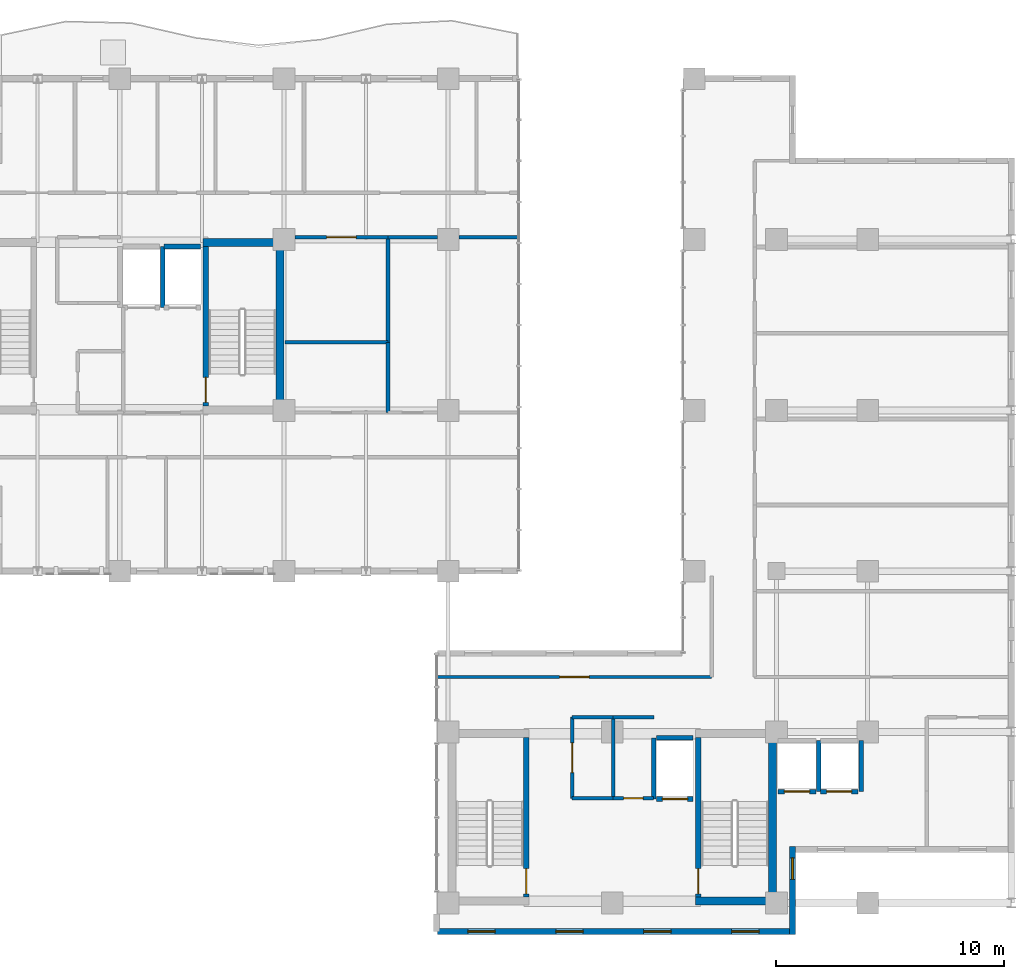
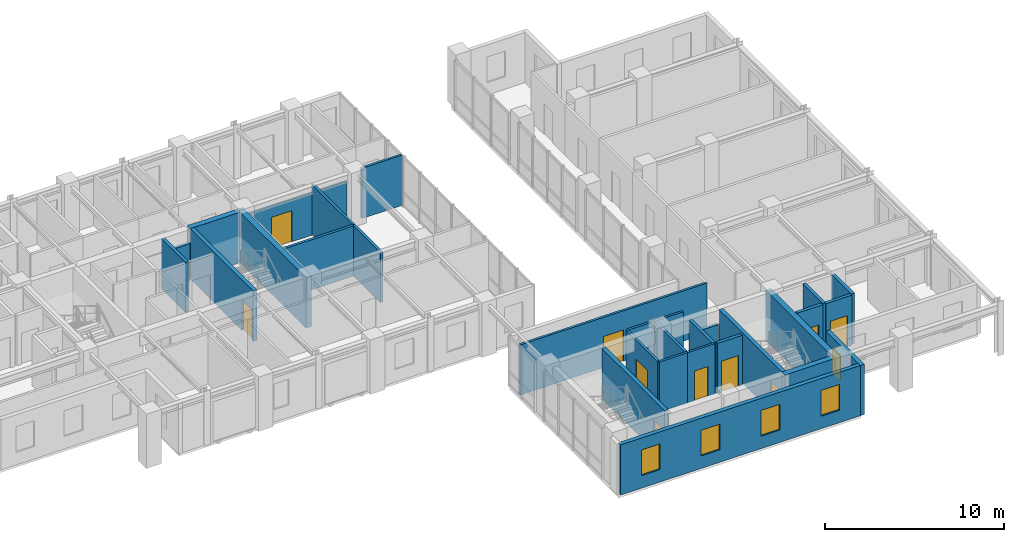
# One storey, part 18 of 24: 31 walls, 10 doors, 5 windows, 15 openings.
"""IFC4 building model written with IfcOpenShell, lengths in metres."""

from ifc_helpers import new_model, si_unit, direction, frame, frame_2d, origin, place, context, subcontext, project, spatial, rectangle, extrude, material, layer, layer_set, type_object, element, fill, save


model = new_model("IFC4")

# Units and contexts
model_context = context("Model", 3, precision=1e-05, world=origin(), true_north=direction((0.0, 1.0)))
body_context = subcontext(model_context, "Body", "Model", "MODEL_VIEW")
ifc_project = project(units=[si_unit("LENGTHUNIT", "METRE"), si_unit("AREAUNIT", "SQUARE_METRE"), si_unit("VOLUMEUNIT", "CUBIC_METRE"), si_unit("PLANEANGLEUNIT", "RADIAN"), si_unit("MASSUNIT", "GRAM", prefix="KILO")], contexts=[model_context])

# Site, building, storey
site_placement = place(None, origin())
site = spatial("IfcSite", under=ifc_project, at=site_placement, CompositionType="ELEMENT")
building_placement = place(site_placement, origin())
building = spatial("IfcBuilding", under=site, at=building_placement, Name="Kaliganga Portal Commons", CompositionType="ELEMENT")
storey_placement = place(building_placement, frame((0.0, 0.0, 242.5)))
storey = spatial("IfcBuildingStorey", under=building, at=storey_placement, Name="L62", CompositionType="ELEMENT", Elevation=242.5)

# Walls
ifc_material_1 = material(Name="Concrete C50/60", Category="concrete")
ifc_layer_1 = layer(ifc_material_1, 0.35009765625)
ifc_layer_set_1 = layer_set([ifc_layer_1], Name="Concrete C50/60")
wall_type_1 = type_object("IfcWallType", Name="WL-CORE-350", PredefinedType="SHEAR", material=ifc_layer_set_1)
wall_1_placement = place(storey_placement, frame((28.625, 28.5, 0.0), z_axis=(0.0, 0.0, 1.0), x_axis=(0.0, 1.0, 0.0)))
element("IfcWall", 1, at=wall_1_placement, inside=storey, type_object=wall_type_1, Name="Core A East Shear Wall L62", PredefinedType="SHEAR", context=body_context, shape_type="SweptSolid", body=[
    extrude(rectangle(XDim=7.699951171875, YDim=0.35009765625, at=frame_2d((3.85009765625, 0.0))), origin(), (0.0, 0.0, 1.0), 3.43994140625),
])
wall_2_placement = place(storey_placement, frame((25.25, 36.02490234375, 0.0), z_axis=(0.0, 0.0, 1.0), x_axis=(1.0, 0.0, 0.0)))
element("IfcWall", 2, at=wall_2_placement, inside=storey, type_object=wall_type_1, Name="Core A N-East Shear Wall L62", PredefinedType="SHEAR", context=body_context, shape_type="SweptSolid", body=[
    extrude(rectangle(XDim=3.199951171875, YDim=0.35009765625, at=frame_2d((1.60009765625, 0.0))), origin(), (0.0, 0.0, 1.0), 3.43994140625),
])
wall_3_placement = place(storey_placement, frame((50.22509765625, 6.949951171875, 0.0), z_axis=(0.0, 0.0, 1.0), x_axis=(0.0, 1.0, 0.0)))
element("IfcWall", 3, at=wall_3_placement, inside=storey, type_object=wall_type_1, Name="Core B East Shear Wall L62", PredefinedType="SHEAR", context=body_context, shape_type="SweptSolid", body=[
    extrude(rectangle(XDim=7.699951171875, YDim=0.35009765625, at=frame_2d((3.85009765625, 0.0))), origin(), (0.0, 0.0, 1.0), 3.43994140625),
])
wall_4_placement = place(storey_placement, frame((46.85009765625, 7.125, 0.0), z_axis=(0.0, 0.0, 1.0), x_axis=(1.0, 0.0, 0.0)))
element("IfcWall", 4, at=wall_4_placement, inside=storey, type_object=wall_type_1, Name="Core B S-East Shear Wall L62", PredefinedType="SHEAR", context=body_context, shape_type="SweptSolid", body=[
    extrude(rectangle(XDim=3.199951171875, YDim=0.35009765625, at=frame_2d((1.60009765625, 0.0))), origin(), (0.0, 0.0, 1.0), 3.43994140625),
])

# Wall, openings, windows
ifc_material_2 = material(Name="Insulated Aluminium-Clad Spandrel Assembly", Category="aluminium")
ifc_layer_2 = layer(ifc_material_2, 0.260009765625)
ifc_layer_set_2 = layer_set([ifc_layer_2], Name="Insulated Aluminium-Clad Spandrel Assembly")
wall_type_2 = type_object("IfcWallType", Name="WL-EXT-SPAND-260", PredefinedType="STANDARD", material=ifc_layer_set_2)
wall_5_placement = place(storey_placement, frame((50.965087890625, 5.800048828125, 0.0), z_axis=(0.0, 0.0, 1.0), x_axis=(-1.0, 0.0, 0.0)))
wall_5 = element("IfcWall", 5, at=wall_5_placement, inside=storey, type_object=wall_type_2, Name="Exterior Envelope Wall L62 P2-E00-S1", PredefinedType="STANDARD", context=body_context, shape_type="SweptSolid", body=[
    extrude(rectangle(XDim=15.427978515625, YDim=0.260009765625, at=frame_2d((7.7138671875, 0.0))), origin(), (0.0, 0.0, 1.0), 3.419921875),
])
opening_1_placement = place(wall_5_placement, frame((1.32861328125, 0.0, 0.85009765625)))
opening_1 = element("IfcOpeningElement", 6, at=opening_1_placement, cuts=wall_5, Name="Opening W-03", PredefinedType="OPENING", context=body_context, shape_type="SweptSolid", body=[
    extrude(rectangle(XDim=1.199951171875, YDim=1.75, at=frame_2d((0.60009765625, 0.875))), frame((0.0, 0.14013671875, 0.0), z_axis=(0.0, -1.0, 0.0), x_axis=(1.0, 0.0, 0.0)), (0.0, 0.0, 1.0), 0.280029296875),
])
opening_2_placement = place(wall_5_placement, frame((5.185546875, 0.0, 0.85009765625)))
opening_2 = element("IfcOpeningElement", 7, at=opening_2_placement, cuts=wall_5, Name="Opening W-03", PredefinedType="OPENING", context=body_context, shape_type="SweptSolid", body=[
    extrude(rectangle(XDim=1.199951171875, YDim=1.75, at=frame_2d((0.60009765625, 0.875))), frame((0.0, 0.14013671875, 0.0), z_axis=(0.0, -1.0, 0.0), x_axis=(1.0, 0.0, 0.0)), (0.0, 0.0, 1.0), 0.280029296875),
])
opening_3_placement = place(wall_5_placement, frame((9.04248046875, 0.0, 0.85009765625)))
opening_3 = element("IfcOpeningElement", 8, at=opening_3_placement, cuts=wall_5, Name="Opening W-03", PredefinedType="OPENING", context=body_context, shape_type="SweptSolid", body=[
    extrude(rectangle(XDim=1.199951171875, YDim=1.75, at=frame_2d((0.60009765625, 0.875))), frame((0.0, 0.14013671875, 0.0), z_axis=(0.0, -1.0, 0.0), x_axis=(1.0, 0.0, 0.0)), (0.0, 0.0, 1.0), 0.280029296875),
])
opening_4_placement = place(wall_5_placement, frame((12.8994140625, 0.0, 0.85009765625)))
opening_4 = element("IfcOpeningElement", 9, at=opening_4_placement, cuts=wall_5, Name="Opening W-03", PredefinedType="OPENING", context=body_context, shape_type="SweptSolid", body=[
    extrude(rectangle(XDim=1.199951171875, YDim=1.75, at=frame_2d((0.60009765625, 0.875))), frame((0.0, 0.14013671875, 0.0), z_axis=(0.0, -1.0, 0.0), x_axis=(1.0, 0.0, 0.0)), (0.0, 0.0, 1.0), 0.280029296875),
])
ifc_material_3 = material(Name="Thermally Broken Aluminium and Low-E Double Glazing", Category="aluminium")
window_type_1 = type_object("IfcWindowType", Name="WIN-STD-1200", PartitioningType="SINGLE_PANEL", PredefinedType="WINDOW", material=ifc_material_3)
window_1_placement = place(opening_1_placement, origin())
window_1 = element("IfcWindow", 10, at=window_1_placement, inside=storey, type_object=window_type_1, Name="Facade Window L62-P2E00S1-00", OverallHeight=1.75, OverallWidth=1.199951171875, PartitioningType="SINGLE_PANEL", PredefinedType="WINDOW", context=body_context, shape_type="SweptSolid", body=[
    extrude(rectangle(XDim=1.199951171875, YDim=1.75, at=frame_2d((0.60009765625, 0.875))), frame((0.0, 0.030029296875, 0.0), z_axis=(0.0, -1.0, 0.0), x_axis=(1.0, 0.0, 0.0)), (0.0, 0.0, 1.0), 0.06005859375),
])
fill(opening_1, window_1)
window_2_placement = place(opening_2_placement, origin())
window_2 = element("IfcWindow", 11, at=window_2_placement, inside=storey, type_object=window_type_1, Name="Facade Window L62-P2E00S1-01", OverallHeight=1.75, OverallWidth=1.199951171875, PartitioningType="SINGLE_PANEL", PredefinedType="WINDOW", context=body_context, shape_type="SweptSolid", body=[
    extrude(rectangle(XDim=1.199951171875, YDim=1.75, at=frame_2d((0.60009765625, 0.875))), frame((0.0, 0.030029296875, 0.0), z_axis=(0.0, -1.0, 0.0), x_axis=(1.0, 0.0, 0.0)), (0.0, 0.0, 1.0), 0.06005859375),
])
fill(opening_2, window_2)
window_3_placement = place(opening_3_placement, origin())
window_3 = element("IfcWindow", 12, at=window_3_placement, inside=storey, type_object=window_type_1, Name="Facade Window L62-P2E00S1-02", OverallHeight=1.75, OverallWidth=1.199951171875, PartitioningType="SINGLE_PANEL", PredefinedType="WINDOW", context=body_context, shape_type="SweptSolid", body=[
    extrude(rectangle(XDim=1.199951171875, YDim=1.75, at=frame_2d((0.60009765625, 0.875))), frame((0.0, 0.030029296875, 0.0), z_axis=(0.0, -1.0, 0.0), x_axis=(1.0, 0.0, 0.0)), (0.0, 0.0, 1.0), 0.06005859375),
])
fill(opening_3, window_3)
window_4_placement = place(opening_4_placement, origin())
window_4 = element("IfcWindow", 13, at=window_4_placement, inside=storey, type_object=window_type_1, Name="Facade Window L62-P2E00S1-03", OverallHeight=1.75, OverallWidth=1.199951171875, PartitioningType="SINGLE_PANEL", PredefinedType="WINDOW", context=body_context, shape_type="SweptSolid", body=[
    extrude(rectangle(XDim=1.199951171875, YDim=1.75, at=frame_2d((0.60009765625, 0.875))), frame((0.0, 0.030029296875, 0.0), z_axis=(0.0, -1.0, 0.0), x_axis=(1.0, 0.0, 0.0)), (0.0, 0.0, 1.0), 0.06005859375),
])
fill(opening_4, window_4)

# Wall, opening, window
wall_6_placement = place(storey_placement, frame((51.10009765625, 9.530029296875, 0.0), z_axis=(0.0, 0.0, 1.0), x_axis=(0.0, -1.0, 0.0)))
wall_6 = element("IfcWall", 14, at=wall_6_placement, inside=storey, type_object=wall_type_2, Name="Exterior Envelope Wall L62 P2-E01-S1", PredefinedType="STANDARD", context=body_context, shape_type="SweptSolid", body=[
    extrude(rectangle(XDim=3.860107421875, YDim=0.260009765625, at=frame_2d((1.93017578125, 0.0))), origin(), (0.0, 0.0, 1.0), 3.419921875),
])
opening_5_placement = place(wall_6_placement, frame((0.497802734375, 0.0, 0.85009765625)))
opening_5 = element("IfcOpeningElement", 15, at=opening_5_placement, cuts=wall_6, Name="Opening W-04", PredefinedType="OPENING", context=body_context, shape_type="SweptSolid", body=[
    extrude(rectangle(XDim=0.949951171875, YDim=1.75, at=frame_2d((0.47509765625, 0.875))), frame((0.0, 0.14013671875, 0.0), z_axis=(0.0, -1.0, 0.0), x_axis=(1.0, 0.0, 0.0)), (0.0, 0.0, 1.0), 0.280029296875),
])
window_type_2 = type_object("IfcWindowType", Name="WIN-NARROW-950", PartitioningType="SINGLE_PANEL", PredefinedType="WINDOW", material=ifc_material_3)
window_5_placement = place(opening_5_placement, origin())
window_5 = element("IfcWindow", 16, at=window_5_placement, inside=storey, type_object=window_type_2, Name="Facade Window L62-P2E01S1-N1", OverallHeight=1.75, OverallWidth=0.949951171875, PartitioningType="SINGLE_PANEL", PredefinedType="WINDOW", context=body_context, shape_type="SweptSolid", body=[
    extrude(rectangle(XDim=0.949951171875, YDim=1.75, at=frame_2d((0.47509765625, 0.875))), frame((0.0, 0.030029296875, 0.0), z_axis=(0.0, -1.0, 0.0), x_axis=(1.0, 0.0, 0.0)), (0.0, 0.0, 1.0), 0.06005859375),
])
fill(opening_5, window_5)

# Wall, opening, door
ifc_material_4 = material(Name="Fire-Rated Gypsum Board on Steel Stud", Category="steel")
ifc_layer_3 = layer(ifc_material_4, 0.14990234375)
ifc_layer_set_3 = layer_set([ifc_layer_3], Name="Fire-Rated Gypsum Board on Steel Stud")
wall_type_3 = type_object("IfcWallType", Name="WL-PART-CORR-150", PredefinedType="PARTITIONING", material=ifc_layer_set_3)
wall_7_placement = place(storey_placement, frame((35.52001953125, 16.9599609375, 0.0), z_axis=(0.0, 0.0, 1.0), x_axis=(1.0, 0.0, 0.0)))
wall_7 = element("IfcWall", 17, at=wall_7_placement, inside=storey, type_object=wall_type_3, Name="Interior Partition L62-003", PredefinedType="PARTITIONING", context=body_context, shape_type="SweptSolid", body=[
    extrude(rectangle(XDim=12.0400390625, YDim=0.14990234375, at=frame_2d((6.02001953125, 0.0))), origin(), (0.0, 0.0, 1.0), 3.419921875),
])
opening_6_placement = place(wall_7_placement, frame((5.3701171875, 0.0, 0.0)))
opening_6 = element("IfcOpeningElement", 18, at=opening_6_placement, cuts=wall_7, Name="Opening RD-03", PredefinedType="OPENING", context=body_context, shape_type="SweptSolid", body=[
    extrude(rectangle(XDim=1.300048828125, YDim=2.1201171875, at=frame_2d((0.64990234375, 1.06005859375))), frame((0.0, 0.0849609375, 0.0), z_axis=(0.0, -1.0, 0.0), x_axis=(1.0, 0.0, 0.0)), (0.0, 0.0, 1.0), 0.169921875),
])
ifc_material_5 = material(Name="Glazed Timber Seminar Vision Door", Category="wood")
door_type_1 = type_object("IfcDoorType", Name="DR-STUDY-1300", OperationType="DOUBLE_DOOR_SINGLE_SWING", PredefinedType="DOOR", material=ifc_material_5)
door_1_placement = place(opening_6_placement, origin())
door_1 = element("IfcDoor", 19, at=door_1_placement, inside=storey, type_object=door_type_1, Name="Interior Door L62-BPW01", OperationType="DOUBLE_DOOR_SINGLE_SWING", OverallHeight=2.1201171875, OverallWidth=1.300048828125, PredefinedType="DOOR", context=body_context, shape_type="SweptSolid", body=[
    extrude(rectangle(XDim=1.300048828125, YDim=2.1201171875, at=frame_2d((0.64990234375, 1.06005859375))), frame((0.0, 0.02490234375, 0.0), z_axis=(0.0, -1.0, 0.0), x_axis=(1.0, 0.0, 0.0)), (0.0, 0.0, 1.0), 0.050048828125),
])
fill(opening_6, door_1)

# Walls
wall_8_placement = place(storey_placement, frame((33.360107421875, 36.239990234375, 0.0), z_axis=(0.0, 0.0, 1.0), x_axis=(1.0, 0.0, 0.0)))
element("IfcWall", 20, at=wall_8_placement, inside=storey, type_object=wall_type_3, Name="Interior Partition L62-008", PredefinedType="PARTITIONING", context=body_context, shape_type="SweptSolid", body=[
    extrude(rectangle(XDim=2.164794921875, YDim=0.14990234375, at=frame_2d((1.08251953125, 0.0))), origin(), (0.0, 0.0, 1.0), 2.8701171875),
])
wall_9_placement = place(storey_placement, frame((36.47509765625, 36.239990234375, 0.0), z_axis=(0.0, 0.0, 1.0), x_axis=(1.0, 0.0, 0.0)))
element("IfcWall", 21, at=wall_9_placement, inside=storey, type_object=wall_type_3, Name="Interior Partition L62-009", PredefinedType="PARTITIONING", context=body_context, shape_type="SweptSolid", body=[
    extrude(rectangle(XDim=2.60498046875, YDim=0.14990234375, at=frame_2d((1.302490234375, 0.0))), origin(), (0.0, 0.0, 1.0), 3.419921875),
])

# Wall, opening, door
wall_10_placement = place(storey_placement, frame((29.27490234375, 36.239990234375, 0.0), z_axis=(0.0, 0.0, 1.0), x_axis=(1.0, 0.0, 0.0)))
wall_10 = element("IfcWall", 22, at=wall_10_placement, inside=storey, type_object=wall_type_3, Name="Interior Partition L62-011", PredefinedType="PARTITIONING", context=body_context, shape_type="SweptSolid", body=[
    extrude(rectangle(XDim=4.085205078125, YDim=0.14990234375, at=frame_2d((2.04248046875, 0.0))), origin(), (0.0, 0.0, 1.0), 2.8701171875),
])
opening_7_placement = place(wall_10_placement, frame((1.392578125, 0.0, 0.0)))
opening_7 = element("IfcOpeningElement", 23, at=opening_7_placement, cuts=wall_10, Name="Opening RD-03", PredefinedType="OPENING", context=body_context, shape_type="SweptSolid", body=[
    extrude(rectangle(XDim=1.300048828125, YDim=2.1201171875, at=frame_2d((0.64990234375, 1.06005859375))), frame((0.0, 0.0849609375, 0.0), z_axis=(0.0, -1.0, 0.0), x_axis=(1.0, 0.0, 0.0)), (0.0, 0.0, 1.0), 0.169921875),
])
door_2_placement = place(opening_7_placement, origin())
door_2 = element("IfcDoor", 24, at=door_2_placement, inside=storey, type_object=door_type_1, Name="Interior Door L62-CSRV_A2", OperationType="DOUBLE_DOOR_SINGLE_SWING", OverallHeight=2.1201171875, OverallWidth=1.300048828125, PredefinedType="DOOR", context=body_context, shape_type="SweptSolid", body=[
    extrude(rectangle(XDim=1.300048828125, YDim=2.1201171875, at=frame_2d((0.64990234375, 1.06005859375))), frame((0.0, 0.02490234375, 0.0), z_axis=(0.0, -1.0, 0.0), x_axis=(1.0, 0.0, 0.0)), (0.0, 0.0, 1.0), 0.050048828125),
])
fill(opening_7, door_2)

wall_11_placement = place(storey_placement, frame((41.43994140625, 11.639892578125, 0.0), z_axis=(0.0, 0.0, 1.0), x_axis=(0.0, 1.0, 0.0)))
wall_11 = element("IfcWall", 25, at=wall_11_placement, inside=storey, type_object=wall_type_3, Name="Interior Partition L62-022", PredefinedType="PARTITIONING", context=body_context, shape_type="SweptSolid", body=[
    extrude(rectangle(XDim=3.56005859375, YDim=0.14990234375, at=frame_2d((1.780029296875, 0.0))), origin(), (0.0, 0.0, 1.0), 3.419921875),
])
opening_8_placement = place(wall_11_placement, frame((1.1298828125, 0.0, 0.0)))
opening_8 = element("IfcOpeningElement", 26, at=opening_8_placement, cuts=wall_11, Name="Opening RD-03", PredefinedType="OPENING", context=body_context, shape_type="SweptSolid", body=[
    extrude(rectangle(XDim=1.300048828125, YDim=2.1201171875, at=frame_2d((0.64990234375, 1.06005859375))), frame((0.0, 0.0849609375, 0.0), z_axis=(0.0, -1.0, 0.0), x_axis=(1.0, 0.0, 0.0)), (0.0, 0.0, 1.0), 0.169921875),
])
door_3_placement = place(opening_8_placement, origin())
door_3 = element("IfcDoor", 27, at=door_3_placement, inside=storey, type_object=door_type_1, Name="Interior Door L62-CREC_B1", OperationType="DOUBLE_DOOR_SINGLE_SWING", OverallHeight=2.1201171875, OverallWidth=1.300048828125, PredefinedType="DOOR", context=body_context, shape_type="SweptSolid", body=[
    extrude(rectangle(XDim=1.300048828125, YDim=2.1201171875, at=frame_2d((0.64990234375, 1.06005859375))), frame((0.0, 0.02490234375, 0.0), z_axis=(0.0, -1.0, 0.0), x_axis=(1.0, 0.0, 0.0)), (0.0, 0.0, 1.0), 0.050048828125),
])
fill(opening_8, door_3)

# Walls
for number, where, z_axis, x_axis, name in (
    (28, (41.43994140625, 11.639892578125, 0.0), (0.0, 0.0, 1.0), (1.0, 0.0, 0.0), "Interior Partition L62-036"),
    (29, (41.43994140625, 15.199951171875, 0.0), (0.0, 0.0, 1.0), (1.0, 0.0, 0.0), "Interior Partition L62-037"),
):
    element("IfcWall", number, at=place(storey_placement, frame(where, z_axis=z_axis, x_axis=x_axis)), inside=storey, type_object=wall_type_3, Name=name, PredefinedType="PARTITIONING", context=body_context, shape_type="SweptSolid", body=[
        extrude(rectangle(XDim=1.800048828125, YDim=0.14990234375, at=frame_2d((0.89990234375, 0.0))), origin(), (0.0, 0.0, 1.0), 3.419921875),
    ])

# Wall, opening, door
wall_12_placement = place(storey_placement, frame((43.239990234375, 11.639892578125, 0.0), z_axis=(0.0, 0.0, 1.0), x_axis=(1.0, 0.0, 0.0)))
wall_12 = element("IfcWall", 30, at=wall_12_placement, inside=storey, type_object=wall_type_3, Name="Interior Partition L62-038", PredefinedType="PARTITIONING", context=body_context, shape_type="SweptSolid", body=[
    extrude(rectangle(XDim=1.77001953125, YDim=0.14990234375, at=frame_2d((0.885009765625, 0.0))), origin(), (0.0, 0.0, 1.0), 3.419921875),
])
opening_9_placement = place(wall_12_placement, frame((0.455078125, 0.0, 0.0)))
opening_9 = element("IfcOpeningElement", 31, at=opening_9_placement, cuts=wall_12, Name="Opening WD-02", PredefinedType="OPENING", context=body_context, shape_type="SweptSolid", body=[
    extrude(rectangle(XDim=0.860107421875, YDim=2.02001953125, at=frame_2d((0.43017578125, 1.010009765625))), frame((0.0, 0.0849609375, 0.0), z_axis=(0.0, -1.0, 0.0), x_axis=(1.0, 0.0, 0.0)), (0.0, 0.0, 1.0), 0.169921875),
])
ifc_material_6 = material(Name="Fire-Rated Utility Closet Door", Category="wood")
door_type_2 = type_object("IfcDoorType", Name="DR-STORE-800", OperationType="NOTDEFINED", PredefinedType="DOOR", material=ifc_material_6)
door_4_placement = place(opening_9_placement, origin())
door_4 = element("IfcDoor", 32, at=door_4_placement, inside=storey, type_object=door_type_2, Name="Interior Door L62-CREC_B2", OperationType="SINGLE_SWING_RIGHT", OverallHeight=2.02001953125, OverallWidth=0.860107421875, PredefinedType="DOOR", context=body_context, shape_type="SweptSolid", body=[
    extrude(rectangle(XDim=0.860107421875, YDim=2.02001953125, at=frame_2d((0.43017578125, 1.010009765625))), frame((0.0, 0.02490234375, 0.0), z_axis=(0.0, -1.0, 0.0), x_axis=(1.0, 0.0, 0.0)), (0.0, 0.0, 1.0), 0.050048828125),
])
fill(opening_9, door_4)

# Walls
wall_13_placement = place(storey_placement, frame((43.239990234375, 15.199951171875, 0.0), z_axis=(0.0, 0.0, 1.0), x_axis=(1.0, 0.0, 0.0)))
element("IfcWall", 33, at=wall_13_placement, inside=storey, type_object=wall_type_3, Name="Interior Partition L62-039", PredefinedType="PARTITIONING", context=body_context, shape_type="SweptSolid", body=[
    extrude(rectangle(XDim=1.800048828125, YDim=0.14990234375, at=frame_2d((0.89990234375, 0.0))), origin(), (0.0, 0.0, 1.0), 3.419921875),
])
ifc_material_7 = material(Name="Twin-Stud Acoustic Gypsum Partition", Category="gypsum")
ifc_layer_4 = layer(ifc_material_7, 0.1650390625)
ifc_layer_set_4 = layer_set([ifc_layer_4], Name="Twin-Stud Acoustic Gypsum Partition")
wall_type_4 = type_object("IfcWallType", Name="WL-PART-UNIT-165", PredefinedType="PARTITIONING", material=ifc_layer_set_4)
wall_14_placement = place(storey_placement, frame((33.360107421875, 31.639892578125, 0.0), z_axis=(0.0, 0.0, 1.0), x_axis=(0.0, 1.0, 0.0)))
element("IfcWall", 34, at=wall_14_placement, inside=storey, type_object=wall_type_4, Name="Interior Partition L62-055", PredefinedType="PARTITIONING", context=body_context, shape_type="SweptSolid", body=[
    extrude(rectangle(XDim=4.60009765625, YDim=0.1650390625, at=frame_2d((2.300048828125, 0.0))), origin(), (0.0, 0.0, 1.0), 3.419921875),
])
wall_15_placement = place(storey_placement, frame((28.840087890625, 31.639892578125, 0.0), z_axis=(0.0, 0.0, 1.0), x_axis=(1.0, 0.0, 0.0)))
element("IfcWall", 35, at=wall_15_placement, inside=storey, type_object=wall_type_4, Name="Interior Partition L62-056", PredefinedType="PARTITIONING", context=body_context, shape_type="SweptSolid", body=[
    extrude(rectangle(XDim=4.52001953125, YDim=0.1650390625, at=frame_2d((2.260009765625, 0.0))), origin(), (0.0, 0.0, 1.0), 3.419921875),
])
wall_16_placement = place(storey_placement, frame((43.239990234375, 11.639892578125, 0.0), z_axis=(0.0, 0.0, 1.0), x_axis=(0.0, 1.0, 0.0)))
element("IfcWall", 36, at=wall_16_placement, inside=storey, type_object=wall_type_4, Name="Interior Partition L62-057", PredefinedType="PARTITIONING", context=body_context, shape_type="SweptSolid", body=[
    extrude(rectangle(XDim=3.56005859375, YDim=0.1650390625, at=frame_2d((1.780029296875, 0.0))), origin(), (0.0, 0.0, 1.0), 3.419921875),
])
wall_17_placement = place(storey_placement, frame((33.360107421875, 28.56005859375, 0.0), z_axis=(0.0, 0.0, 1.0), x_axis=(0.0, 1.0, 0.0)))
element("IfcWall", 37, at=wall_17_placement, inside=storey, type_object=wall_type_4, Name="Interior Partition L62-059", PredefinedType="PARTITIONING", context=body_context, shape_type="SweptSolid", body=[
    extrude(rectangle(XDim=3.079833984375, YDim=0.1650390625, at=frame_2d((1.5400390625, 0.0))), origin(), (0.0, 0.0, 1.0), 3.419921875),
])
ifc_material_8 = material(Name="Fire-Rated Shaftwall Masonry Assembly", Category="masonry")
ifc_layer_5 = layer(ifc_material_8, 0.199951171875)
ifc_layer_set_5 = layer_set([ifc_layer_5], Name="Fire-Rated Shaftwall Masonry Assembly")
wall_type_5 = type_object("IfcWallType", Name="WL-SHAFT-200", PredefinedType="PARTITIONING", material=ifc_layer_set_5)
wall_18_placement = place(storey_placement, frame((23.489990234375, 33.159912109375, 0.0), z_axis=(0.0, 0.0, 1.0), x_axis=(0.0, 1.0, 0.0)))
element("IfcWall", 38, at=wall_18_placement, inside=storey, type_object=wall_type_5, Name="Lift FFL-1 Hoistway Shaft Wall L62-E", PredefinedType="PARTITIONING", context=body_context, shape_type="SweptSolid", body=[
    extrude(rectangle(XDim=2.68017578125, YDim=0.199951171875, at=frame_2d((1.340087890625, 0.0))), origin(), (0.0, 0.0, 1.0), 3.419921875),
])
wall_19_placement = place(storey_placement, frame((23.550048828125, 35.840087890625, 0.0), z_axis=(0.0, 0.0, 1.0), x_axis=(1.0, 0.0, 0.0)))
element("IfcWall", 39, at=wall_19_placement, inside=storey, type_object=wall_type_5, Name="Lift FFL-2 Hoistway Shaft Wall L62-N", PredefinedType="PARTITIONING", context=body_context, shape_type="SweptSolid", body=[
    extrude(rectangle(XDim=1.599853515625, YDim=0.199951171875, at=frame_2d((0.7998046875, 0.0))), origin(), (0.0, 0.0, 1.0), 2.52001953125),
])

# Wall, opening, door
wall_20_placement = place(storey_placement, frame((50.47509765625, 11.93505859375, 0.0), z_axis=(0.0, 0.0, 1.0), x_axis=(1.0, 0.0, 0.0)))
wall_20 = element("IfcWall", 40, at=wall_20_placement, inside=storey, type_object=wall_type_5, Name="Lift PL-B3 Hoistway Shaft Wall L62-S", PredefinedType="PARTITIONING", context=body_context, shape_type="SweptSolid", body=[
    extrude(rectangle(XDim=1.64990234375, YDim=0.199951171875, at=frame_2d((0.824951171875, 0.0))), origin(), (0.0, 0.0, 1.0), 3.419921875),
])
opening_10_placement = place(wall_20_placement, frame((0.27490234375, 0.0, 0.0)))
opening_10 = element("IfcOpeningElement", 41, at=opening_10_placement, cuts=wall_20, Name="Opening LD-01", PredefinedType="OPENING", context=body_context, shape_type="SweptSolid", body=[
    extrude(rectangle(XDim=1.10009765625, YDim=2.1201171875, at=frame_2d((0.550048828125, 1.06005859375))), frame((0.0, 0.10986328125, 0.0), z_axis=(0.0, -1.0, 0.0), x_axis=(1.0, 0.0, 0.0)), (0.0, 0.0, 1.0), 0.219970703125),
])
ifc_material_9 = material(Name="Brushed Stainless Steel 316 Lift Landing Door", Category="steel")
door_type_3 = type_object("IfcDoorType", Name="DR-LIFT-1100", OperationType="SLIDING_TO_LEFT", PredefinedType="DOOR", material=ifc_material_9)
door_5_placement = place(opening_10_placement, origin())
door_5 = element("IfcDoor", 42, at=door_5_placement, inside=storey, type_object=door_type_3, Name="Lift PL-B3 Sliding Landing Door L62", OperationType="SLIDING_TO_LEFT", OverallHeight=2.1201171875, OverallWidth=1.10009765625, PredefinedType="DOOR", context=body_context, shape_type="SweptSolid", body=[
    extrude(rectangle(XDim=1.10009765625, YDim=2.1201171875, at=frame_2d((0.550048828125, 1.06005859375))), frame((0.0, 0.02490234375, 0.0), z_axis=(0.0, -1.0, 0.0), x_axis=(1.0, 0.0, 0.0)), (0.0, 0.0, 1.0), 0.050048828125),
])
fill(opening_10, door_5)

# Wall
wall_21_placement = place(storey_placement, frame((52.264892578125, 11.93505859375, 0.0), z_axis=(0.0, 0.0, 1.0), x_axis=(0.0, 1.0, 0.0)))
element("IfcWall", 43, at=wall_21_placement, inside=storey, type_object=wall_type_5, Name="Lift PL-B3 Hoistway Shaft Wall L62-E", PredefinedType="PARTITIONING", context=body_context, shape_type="SweptSolid", body=[
    extrude(rectangle(XDim=2.22998046875, YDim=0.199951171875, at=frame_2d((1.114990234375, 0.0))), origin(), (0.0, 0.0, 1.0), 3.419921875),
])

# Wall, opening, door
wall_22_placement = place(storey_placement, frame((52.324951171875, 11.93505859375, 0.0), z_axis=(0.0, 0.0, 1.0), x_axis=(1.0, 0.0, 0.0)))
wall_22 = element("IfcWall", 44, at=wall_22_placement, inside=storey, type_object=wall_type_5, Name="Lift PL-B4 Hoistway Shaft Wall L62-S", PredefinedType="PARTITIONING", context=body_context, shape_type="SweptSolid", body=[
    extrude(rectangle(XDim=1.650146484375, YDim=0.199951171875, at=frame_2d((0.8251953125, 0.0))), origin(), (0.0, 0.0, 1.0), 3.419921875),
])
opening_11_placement = place(wall_22_placement, frame((0.27490234375, 0.0, 0.0)))
opening_11 = element("IfcOpeningElement", 45, at=opening_11_placement, cuts=wall_22, Name="Opening LD-01", PredefinedType="OPENING", context=body_context, shape_type="SweptSolid", body=[
    extrude(rectangle(XDim=1.10009765625, YDim=2.1201171875, at=frame_2d((0.550048828125, 1.06005859375))), frame((0.0, 0.10986328125, 0.0), z_axis=(0.0, -1.0, 0.0), x_axis=(1.0, 0.0, 0.0)), (0.0, 0.0, 1.0), 0.219970703125),
])
door_6_placement = place(opening_11_placement, origin())
door_6 = element("IfcDoor", 46, at=door_6_placement, inside=storey, type_object=door_type_3, Name="Lift PL-B4 Sliding Landing Door L62", OperationType="SLIDING_TO_LEFT", OverallHeight=2.1201171875, OverallWidth=1.10009765625, PredefinedType="DOOR", context=body_context, shape_type="SweptSolid", body=[
    extrude(rectangle(XDim=1.10009765625, YDim=2.1201171875, at=frame_2d((0.550048828125, 1.06005859375))), frame((0.0, 0.02490234375, 0.0), z_axis=(0.0, -1.0, 0.0), x_axis=(1.0, 0.0, 0.0)), (0.0, 0.0, 1.0), 0.050048828125),
])
fill(opening_11, door_6)

# Wall
wall_23_placement = place(storey_placement, frame((54.114990234375, 11.93505859375, 0.0), z_axis=(0.0, 0.0, 1.0), x_axis=(0.0, 1.0, 0.0)))
element("IfcWall", 47, at=wall_23_placement, inside=storey, type_object=wall_type_5, Name="Lift PL-B4 Hoistway Shaft Wall L62-E", PredefinedType="PARTITIONING", context=body_context, shape_type="SweptSolid", body=[
    extrude(rectangle(XDim=2.22998046875, YDim=0.199951171875, at=frame_2d((1.114990234375, 0.0))), origin(), (0.0, 0.0, 1.0), 3.419921875),
])

# Wall, opening, door
wall_24_placement = place(storey_placement, frame((45.14990234375, 11.610107421875, 0.0), z_axis=(0.0, 0.0, 1.0), x_axis=(1.0, 0.0, 0.0)))
wall_24 = element("IfcWall", 48, at=wall_24_placement, inside=storey, type_object=wall_type_5, Name="Lift SL-B1 Hoistway Shaft Wall L62-S", PredefinedType="PARTITIONING", context=body_context, shape_type="SweptSolid", body=[
    extrude(rectangle(XDim=1.60009765625, YDim=0.199951171875, at=frame_2d((0.800048828125, 0.0))), origin(), (0.0, 0.0, 1.0), 3.419921875),
])
opening_12_placement = place(wall_24_placement, frame((0.25, 0.0, 0.0)))
opening_12 = element("IfcOpeningElement", 49, at=opening_12_placement, cuts=wall_24, Name="Opening LD-01", PredefinedType="OPENING", context=body_context, shape_type="SweptSolid", body=[
    extrude(rectangle(XDim=1.10009765625, YDim=2.1201171875, at=frame_2d((0.550048828125, 1.06005859375))), frame((0.0, 0.10986328125, 0.0), z_axis=(0.0, -1.0, 0.0), x_axis=(1.0, 0.0, 0.0)), (0.0, 0.0, 1.0), 0.219970703125),
])
door_7_placement = place(opening_12_placement, origin())
door_7 = element("IfcDoor", 50, at=door_7_placement, inside=storey, type_object=door_type_3, Name="Lift SL-B1 Sliding Landing Door L62", OperationType="SLIDING_TO_LEFT", OverallHeight=2.1201171875, OverallWidth=1.10009765625, PredefinedType="DOOR", context=body_context, shape_type="SweptSolid", body=[
    extrude(rectangle(XDim=1.10009765625, YDim=2.1201171875, at=frame_2d((0.550048828125, 1.06005859375))), frame((0.0, 0.02490234375, 0.0), z_axis=(0.0, -1.0, 0.0), x_axis=(1.0, 0.0, 0.0)), (0.0, 0.0, 1.0), 0.050048828125),
])
fill(opening_12, door_7)

# Walls
wall_25_placement = place(storey_placement, frame((45.14990234375, 14.2900390625, 0.0), z_axis=(0.0, 0.0, 1.0), x_axis=(1.0, 0.0, 0.0)))
element("IfcWall", 51, at=wall_25_placement, inside=storey, type_object=wall_type_5, Name="Lift SL-B1 Hoistway Shaft Wall L62-N", PredefinedType="PARTITIONING", context=body_context, shape_type="SweptSolid", body=[
    extrude(rectangle(XDim=1.60009765625, YDim=0.199951171875, at=frame_2d((0.800048828125, 0.0))), origin(), (0.0, 0.0, 1.0), 2.52001953125),
])
wall_26_placement = place(storey_placement, frame((45.010009765625, 11.610107421875, 0.0), z_axis=(0.0, 0.0, 1.0), x_axis=(0.0, 1.0, 0.0)))
element("IfcWall", 52, at=wall_26_placement, inside=storey, type_object=wall_type_5, Name="Lift SL-B1 Hoistway Shaft Wall L62-W", PredefinedType="PARTITIONING", context=body_context, shape_type="SweptSolid", body=[
    extrude(rectangle(XDim=2.679931640625, YDim=0.199951171875, at=frame_2d((1.33984375, 0.0))), origin(), (0.0, 0.0, 1.0), 3.419921875),
])

# Wall, opening, door
ifc_layer_6 = layer(ifc_material_1, 0.25)
ifc_layer_set_6 = layer_set([ifc_layer_6], Name="Concrete C50/60")
wall_type_6 = type_object("IfcWallType", Name="WL-STAIR-250", PredefinedType="SHEAR", material=ifc_layer_set_6)
wall_27_placement = place(storey_placement, frame((25.375, 28.85009765625, 0.0), z_axis=(0.0, 0.0, 1.0), x_axis=(0.0, 1.0, 0.0)))
wall_27 = element("IfcWall", 53, at=wall_27_placement, inside=storey, type_object=wall_type_6, Name="Stair A2 Enclosure Shear Wall L62", PredefinedType="SHEAR", context=body_context, shape_type="SweptSolid", body=[
    extrude(rectangle(XDim=7.0, YDim=0.25, at=frame_2d((3.5, 0.0))), origin(), (0.0, 0.0, 1.0), 3.43994140625),
])
opening_13_placement = place(wall_27_placement, frame((0.14990234375, 0.0, 0.0)))
opening_13 = element("IfcOpeningElement", 54, at=opening_13_placement, cuts=wall_27, Name="Opening SD-01", PredefinedType="OPENING", context=body_context, shape_type="SweptSolid", body=[
    extrude(rectangle(XDim=1.10009765625, YDim=2.080078125, at=frame_2d((0.550048828125, 1.0400390625))), frame((0.0, 0.135009765625, 0.0), z_axis=(0.0, -1.0, 0.0), x_axis=(1.0, 0.0, 0.0)), (0.0, 0.0, 1.0), 0.27001953125),
])
ifc_material_10 = material(Name="Galvanized Steel Fire Door Leaf and Frame", Category="steel")
door_type_4 = type_object("IfcDoorType", Name="DR-STAIR-1100", OperationType="NOTDEFINED", PredefinedType="DOOR", material=ifc_material_10)
door_8_placement = place(opening_13_placement, origin())
door_8 = element("IfcDoor", 55, at=door_8_placement, inside=storey, type_object=door_type_4, Name="Protected Stair ST-A2 Fire Door L62", OperationType="SINGLE_SWING_LEFT", OverallHeight=2.080078125, OverallWidth=1.10009765625, PredefinedType="DOOR", context=body_context, shape_type="SweptSolid", body=[
    extrude(rectangle(XDim=1.10009765625, YDim=2.080078125, at=frame_2d((0.550048828125, 1.0400390625))), frame((0.0, 0.02490234375, 0.0), z_axis=(0.0, -1.0, 0.0), x_axis=(1.0, 0.0, 0.0)), (0.0, 0.0, 1.0), 0.050048828125),
])
fill(opening_13, door_8)

wall_28_placement = place(storey_placement, frame((39.425048828125, 7.300048828125, 0.0), z_axis=(0.0, 0.0, 1.0), x_axis=(0.0, 1.0, 0.0)))
wall_28 = element("IfcWall", 56, at=wall_28_placement, inside=storey, type_object=wall_type_6, Name="Stair B1 Enclosure Shear Wall L62", PredefinedType="SHEAR", context=body_context, shape_type="SweptSolid", body=[
    extrude(rectangle(XDim=7.0, YDim=0.25, at=frame_2d((3.5, 0.0))), origin(), (0.0, 0.0, 1.0), 3.43994140625),
])
opening_14_placement = place(wall_28_placement, frame((0.14990234375, 0.0, 0.0)))
opening_14 = element("IfcOpeningElement", 57, at=opening_14_placement, cuts=wall_28, Name="Opening SD-01", PredefinedType="OPENING", context=body_context, shape_type="SweptSolid", body=[
    extrude(rectangle(XDim=1.10009765625, YDim=2.080078125, at=frame_2d((0.550048828125, 1.0400390625))), frame((0.0, 0.135009765625, 0.0), z_axis=(0.0, -1.0, 0.0), x_axis=(1.0, 0.0, 0.0)), (0.0, 0.0, 1.0), 0.27001953125),
])
door_9_placement = place(opening_14_placement, origin())
door_9 = element("IfcDoor", 58, at=door_9_placement, inside=storey, type_object=door_type_4, Name="Protected Stair ST-B1 Fire Door L62", OperationType="SINGLE_SWING_RIGHT", OverallHeight=2.080078125, OverallWidth=1.10009765625, PredefinedType="DOOR", context=body_context, shape_type="SweptSolid", body=[
    extrude(rectangle(XDim=1.10009765625, YDim=2.080078125, at=frame_2d((0.550048828125, 1.0400390625))), frame((0.0, 0.02490234375, 0.0), z_axis=(0.0, -1.0, 0.0), x_axis=(1.0, 0.0, 0.0)), (0.0, 0.0, 1.0), 0.050048828125),
])
fill(opening_14, door_9)

wall_29_placement = place(storey_placement, frame((46.97509765625, 7.300048828125, 0.0), z_axis=(0.0, 0.0, 1.0), x_axis=(0.0, 1.0, 0.0)))
wall_29 = element("IfcWall", 59, at=wall_29_placement, inside=storey, type_object=wall_type_6, Name="Stair B2 Enclosure Shear Wall L62", PredefinedType="SHEAR", context=body_context, shape_type="SweptSolid", body=[
    extrude(rectangle(XDim=7.0, YDim=0.25, at=frame_2d((3.5, 0.0))), origin(), (0.0, 0.0, 1.0), 3.43994140625),
])
opening_15_placement = place(wall_29_placement, frame((0.14990234375, 0.0, 0.0)))
opening_15 = element("IfcOpeningElement", 60, at=opening_15_placement, cuts=wall_29, Name="Opening SD-01", PredefinedType="OPENING", context=body_context, shape_type="SweptSolid", body=[
    extrude(rectangle(XDim=1.10009765625, YDim=2.080078125, at=frame_2d((0.550048828125, 1.0400390625))), frame((0.0, 0.135009765625, 0.0), z_axis=(0.0, -1.0, 0.0), x_axis=(1.0, 0.0, 0.0)), (0.0, 0.0, 1.0), 0.27001953125),
])
door_10_placement = place(opening_15_placement, origin())
door_10 = element("IfcDoor", 61, at=door_10_placement, inside=storey, type_object=door_type_4, Name="Protected Stair ST-B2 Fire Door L62", OperationType="SINGLE_SWING_LEFT", OverallHeight=2.080078125, OverallWidth=1.10009765625, PredefinedType="DOOR", context=body_context, shape_type="SweptSolid", body=[
    extrude(rectangle(XDim=1.10009765625, YDim=2.080078125, at=frame_2d((0.550048828125, 1.0400390625))), frame((0.0, 0.02490234375, 0.0), z_axis=(0.0, -1.0, 0.0), x_axis=(1.0, 0.0, 0.0)), (0.0, 0.0, 1.0), 0.050048828125),
])
fill(opening_15, door_10)

save(model, "model.ifc")
